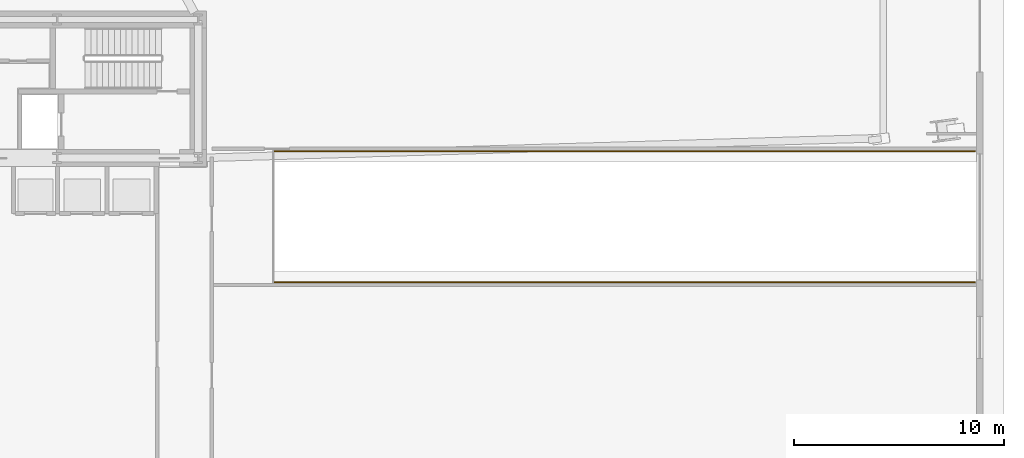
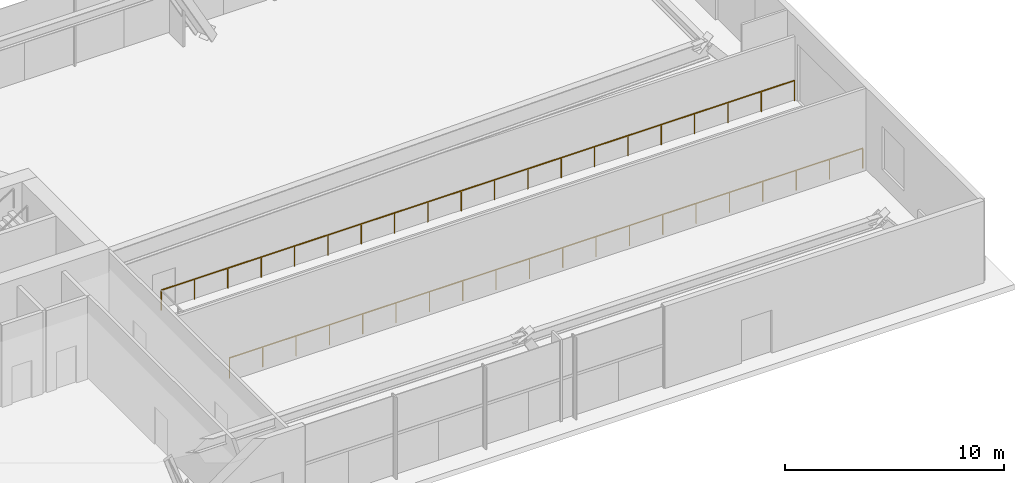
# One storey, part 30 of 31: 2 railings.
"""IFC4 building model written with IfcOpenShell, lengths in metres."""

from ifc_helpers import new_model, si_unit, direction, frame, origin, origin_2d, place, context, subcontext, project, spatial, rectangle, extrude, source, transform, mapped, material, type_object, type_shapes, element, save


model = new_model("IFC4")

# Units and contexts
model_context = context("Model", 3, precision=1e-05, world=origin(), true_north=direction((0.0, 1.0)))
body_context = subcontext(model_context, "Body", "Model", "MODEL_VIEW")
ifc_project = project(units=[si_unit("LENGTHUNIT", "METRE"), si_unit("AREAUNIT", "SQUARE_METRE"), si_unit("VOLUMEUNIT", "CUBIC_METRE"), si_unit("PLANEANGLEUNIT", "RADIAN"), si_unit("MASSUNIT", "GRAM", prefix="KILO")], contexts=[model_context])

# Site, building, storey
site_placement = place(None, origin())
site = spatial("IfcSite", under=ifc_project, at=site_placement, CompositionType="ELEMENT")
building_placement = place(site_placement, origin())
building = spatial("IfcBuilding", under=site, at=building_placement, Name="Astriad Promenade Condominiums", CompositionType="ELEMENT")
storey_placement = place(building_placement, origin())
storey = spatial("IfcBuildingStorey", under=building, at=storey_placement, Name="L00", CompositionType="ELEMENT", Elevation=0.0)

# Railings
ifc_material = material(Name="Anodised Aluminium and Glass Terrace Guardrail", Category="aluminium")
railing_type = type_object("IfcRailingType", Name="GRD-TERR-1150", PredefinedType="GUARDRAIL", material=ifc_material)
shared_shape = source(origin(), body_context, "Body", "SweptSolid", [
    extrude(rectangle(XDim=0.048095703125, YDim=0.048095703125, at=origin_2d()), frame((0.0, 0.0, 1.1259765625), z_axis=(1.0, 0.0, 0.0), x_axis=(0.0, 1.0, 0.0)), (0.0, 0.0, 1.0), 33.4501953125),
    extrude(rectangle(XDim=0.0419921875, YDim=0.0419921875, at=origin_2d()), origin(), (0.0, 0.0, 1.0), 1.101806640625),
    extrude(rectangle(XDim=0.0419921875, YDim=0.0419921875, at=origin_2d()), frame((1.760498046875, 0.0, 0.0)), (0.0, 0.0, 1.0), 1.101806640625),
    extrude(rectangle(XDim=0.0419921875, YDim=0.0419921875, at=origin_2d()), frame((3.52099609375, 0.0, 0.0)), (0.0, 0.0, 1.0), 1.101806640625),
    extrude(rectangle(XDim=0.0419921875, YDim=0.0419921875, at=origin_2d()), frame((5.281494140625, 0.0, 0.0)), (0.0, 0.0, 1.0), 1.101806640625),
    extrude(rectangle(XDim=0.0419921875, YDim=0.0419921875, at=origin_2d()), frame((7.042236328125, 0.0, 0.0)), (0.0, 0.0, 1.0), 1.101806640625),
    extrude(rectangle(XDim=0.0419921875, YDim=0.0419921875, at=origin_2d()), frame((8.802734375, 0.0, 0.0)), (0.0, 0.0, 1.0), 1.101806640625),
    extrude(rectangle(XDim=0.0419921875, YDim=0.0419921875, at=origin_2d()), frame((10.563232421875, 0.0, 0.0)), (0.0, 0.0, 1.0), 1.101806640625),
    extrude(rectangle(XDim=0.0419921875, YDim=0.0419921875, at=origin_2d()), frame((12.32373046875, 0.0, 0.0)), (0.0, 0.0, 1.0), 1.101806640625),
    extrude(rectangle(XDim=0.0419921875, YDim=0.0419921875, at=origin_2d()), frame((14.084228515625, 0.0, 0.0)), (0.0, 0.0, 1.0), 1.101806640625),
    extrude(rectangle(XDim=0.0419921875, YDim=0.0419921875, at=origin_2d()), frame((15.8447265625, 0.0, 0.0)), (0.0, 0.0, 1.0), 1.101806640625),
    extrude(rectangle(XDim=0.0419921875, YDim=0.0419921875, at=origin_2d()), frame((17.60546875, 0.0, 0.0)), (0.0, 0.0, 1.0), 1.101806640625),
    extrude(rectangle(XDim=0.0419921875, YDim=0.0419921875, at=origin_2d()), frame((19.365966796875, 0.0, 0.0)), (0.0, 0.0, 1.0), 1.101806640625),
    extrude(rectangle(XDim=0.0419921875, YDim=0.0419921875, at=origin_2d()), frame((21.12646484375, 0.0, 0.0)), (0.0, 0.0, 1.0), 1.101806640625),
    extrude(rectangle(XDim=0.0419921875, YDim=0.0419921875, at=origin_2d()), frame((22.886962890625, 0.0, 0.0)), (0.0, 0.0, 1.0), 1.101806640625),
    extrude(rectangle(XDim=0.0419921875, YDim=0.0419921875, at=origin_2d()), frame((24.6474609375, 0.0, 0.0)), (0.0, 0.0, 1.0), 1.101806640625),
    extrude(rectangle(XDim=0.0419921875, YDim=0.0419921875, at=origin_2d()), frame((26.407958984375, 0.0, 0.0)), (0.0, 0.0, 1.0), 1.101806640625),
    extrude(rectangle(XDim=0.0419921875, YDim=0.0419921875, at=origin_2d()), frame((28.168701171875, 0.0, 0.0)), (0.0, 0.0, 1.0), 1.101806640625),
    extrude(rectangle(XDim=0.0419921875, YDim=0.0419921875, at=origin_2d()), frame((29.92919921875, 0.0, 0.0)), (0.0, 0.0, 1.0), 1.101806640625),
    extrude(rectangle(XDim=0.0419921875, YDim=0.0419921875, at=origin_2d()), frame((31.689697265625, 0.0, 0.0)), (0.0, 0.0, 1.0), 1.101806640625),
    extrude(rectangle(XDim=0.0419921875, YDim=0.0419921875, at=origin_2d()), frame((33.4501953125, 0.0, 0.0)), (0.0, 0.0, 1.0), 1.101806640625),
])
type_shapes(railing_type, [shared_shape])
for number, where, name in (
    (1, (49.169921875, 11.47998046875, 0.0), "GRD-RAMP-L00-S"),
    (2, (49.169921875, 17.719970703125, 0.0), "GRD-RAMP-L00-N"),
):
    element("IfcRailing", number, at=place(storey_placement, frame(where)), inside=storey, type_object=railing_type, Name=name, PredefinedType="GUARDRAIL", context=body_context, shape_type="MappedRepresentation", body=[
        mapped(shared_shape, transform((0.0, 0.0, 0.0), scale=1.0)),
    ])

save(model, "model.ifc")
